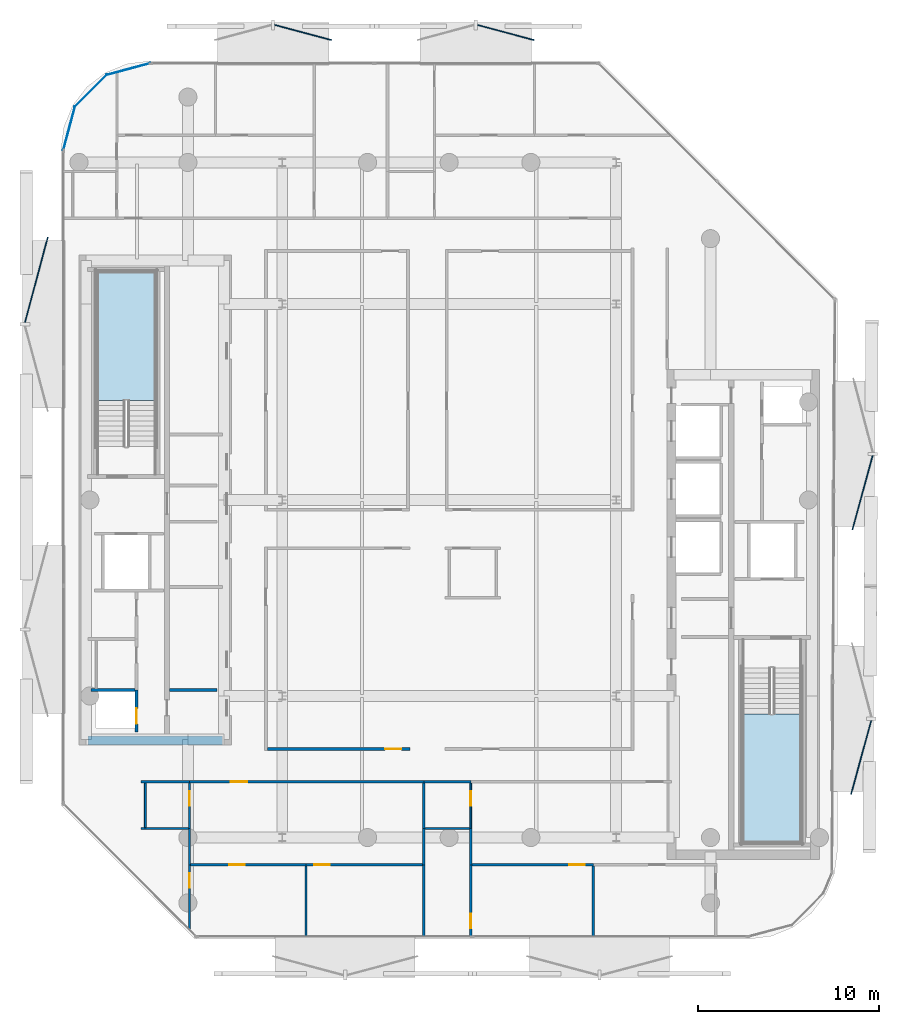
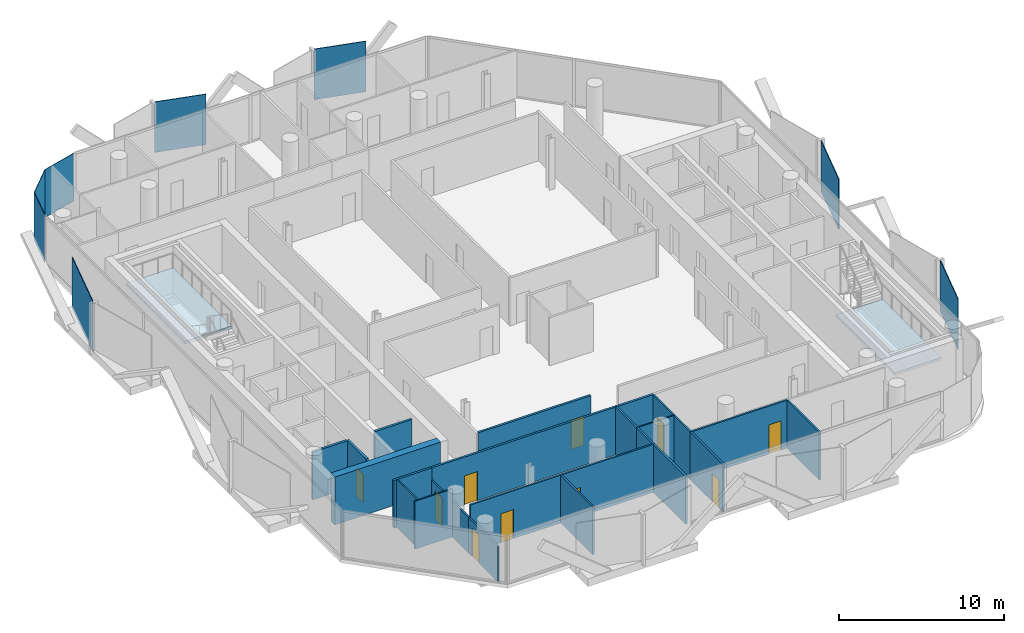
# One storey, part 4 of 16: 25 walls, 10 doors, 8 plates, 2 slabs, 10 openings, 2 elements without a shape of their own.
"""IFC4 building model written with IfcOpenShell, lengths in metres."""

from ifc_helpers import new_model, si_unit, direction, frame, frame_2d, origin, origin_2d, place, context, subcontext, project, spatial, polyline, rectangle, outline, extrude, material, layer, layer_set, type_object, element, fill, aggregate, save


model = new_model("IFC4")

# Units and contexts
model_context = context("Model", 3, precision=1e-05, world=origin(), true_north=direction((0.0, 1.0)))
body_context = subcontext(model_context, "Body", "Model", "MODEL_VIEW")
ifc_project = project(units=[si_unit("LENGTHUNIT", "METRE"), si_unit("AREAUNIT", "SQUARE_METRE"), si_unit("VOLUMEUNIT", "CUBIC_METRE"), si_unit("PLANEANGLEUNIT", "RADIAN"), si_unit("MASSUNIT", "GRAM", prefix="KILO")], contexts=[model_context])

# Site, building, storey
site_placement = place(None, origin())
site = spatial("IfcSite", under=ifc_project, at=site_placement, CompositionType="ELEMENT")
building_placement = place(site_placement, origin())
building = spatial("IfcBuilding", under=site, at=building_placement, Name="Khairoan Windgate Tower", CompositionType="ELEMENT")
storey_placement = place(building_placement, frame((0.0, 0.0, 296.60009765625)))
storey = spatial("IfcBuildingStorey", under=building, at=storey_placement, Name="L71", CompositionType="ELEMENT", Elevation=296.60009765625)

# Plates
ifc_material_1 = material(Name="Low-E Solar Control Laminated Glass", Category="glass")
ifc_layer_1 = layer(ifc_material_1, 0.030029296875, Name="Low-E Solar Control Laminated Glass")
ifc_layer_set_1 = layer_set([ifc_layer_1], Name="Low-E Solar Control Laminated Glass")
plate_type_1 = type_object("IfcPlateType", Name="Aerodynamic Wind-Corner Curved Glazing Plate", PredefinedType="USERDEFINED", material=ifc_layer_set_1)
plate_1_placement = place(storey_placement, frame((-20.940673828125, 20.485107421875, 0.0), z_axis=(0.0, 0.0, 1.0), x_axis=(0.258313252067, 0.966061211211, 0.0)))
element("IfcPlate", 1, at=plate_1_placement, inside=storey, type_object=plate_type_1, Name="L71 Aerodynamic Wind-Corner Curved Glazing Panel 4", ObjectType="GLAZING PANEL", PredefinedType="USERDEFINED", context=body_context, shape_type="SweptSolid", body=[
    extrude(rectangle(XDim=2.512451171875, YDim=0.035888671875, at=origin_2d()), origin(), (0.0, 0.0, 1.0), 3.5400390625),
])
plate_2_placement = place(storey_placement, frame((-19.750244140625, 22.55029296875, 0.0), z_axis=(0.0, 0.0, 1.0), x_axis=(0.707106781187, 0.707106781187, 0.0)))
element("IfcPlate", 2, at=plate_2_placement, inside=storey, type_object=plate_type_1, Name="L71 Aerodynamic Wind-Corner Curved Glazing Panel 5", ObjectType="GLAZING PANEL", PredefinedType="USERDEFINED", context=body_context, shape_type="SweptSolid", body=[
    extrude(rectangle(XDim=2.50341796875, YDim=0.035888671875, at=origin_2d()), origin(), (0.0, 0.0, 1.0), 3.5400390625),
])
plate_3_placement = place(storey_placement, frame((-17.68505859375, 23.740478515625, 0.0), z_axis=(0.0, 0.0, 1.0), x_axis=(0.966061211211, 0.258313252067, 0.0)))
element("IfcPlate", 3, at=plate_3_placement, inside=storey, type_object=plate_type_1, Name="L71 Aerodynamic Wind-Corner Curved Glazing Panel 6", ObjectType="GLAZING PANEL", PredefinedType="USERDEFINED", context=body_context, shape_type="SweptSolid", body=[
    extrude(rectangle(XDim=2.512451171875, YDim=0.035888671875, at=origin_2d()), origin(), (0.0, 0.0, 1.0), 3.5400390625),
])
ifc_material_2 = material(Name="Anodised Bronze Aluminium 6063-T6", Category="aluminium")
ifc_layer_2 = layer(ifc_material_2, 0.054931640625, Name="Anodised Bronze Aluminium 6063-T6")
ifc_layer_set_2 = layer_set([ifc_layer_2], Name="Anodised Bronze Aluminium 6063-T6")
plate_type_2 = type_object("IfcPlateType", Name="Perforated Bronze Solar Screen Upper Panel BSP-2", PredefinedType="USERDEFINED", material=ifc_layer_set_2)
plate_4_placement = place(storey_placement, frame((-22.748779296875, 12.1279296875, -0.10009765625), z_axis=(0.0, 0.0, 1.0), x_axis=(0.258819045103, 0.965925826289, 0.0)))
element("IfcPlate", 4, at=plate_4_placement, inside=storey, type_object=plate_type_2, Name="L71 Perforated Bronze Solar Screen Panel 497R", ObjectType="SCREEN", PredefinedType="USERDEFINED", context=body_context, shape_type="SweptSolid", body=[
    extrude(rectangle(XDim=4.876953125, YDim=0.054931640625, at=origin_2d()), origin(), (0.0, 0.0, 1.0), 3.739990234375),
])
for number, where, z_axis, x_axis, name in (
    (5, (-8.0537109375, 25.760986328125, -0.10009765625), (0.0, 0.0, 1.0), (0.965925826289, -0.258819045103, 0.0), "L71 Perforated Bronze Solar Screen Panel 498R"),
    (6, (3.112548828125, 25.760986328125, -0.10009765625), (0.0, 0.0, 1.0), (0.965925826289, -0.258819045103, 0.0), "L71 Perforated Bronze Solar Screen Panel 499R"),
):
    element("IfcPlate", number, at=place(storey_placement, frame(where, z_axis=z_axis, x_axis=x_axis)), inside=storey, type_object=plate_type_2, Name=name, ObjectType="SCREEN", PredefinedType="USERDEFINED", context=body_context, shape_type="SweptSolid", body=[
        extrude(rectangle(XDim=3.238037109375, YDim=0.054931640625, at=origin_2d()), origin(), (0.0, 0.0, 1.0), 3.739990234375),
    ])
for number, where, z_axis, x_axis, name in (
    (7, (22.777587890625, 0.407470703125, -0.10009765625), (0.0, 0.0, 1.0), (-0.263873049965, -0.964557418458, 0.0), "L71 Perforated Bronze Solar Screen Panel 500R"),
    (8, (22.7021484375, -14.17919921875, -0.10009765625), (0.0, 0.0, 1.0), (-0.263873049965, -0.964557418458, 0.0), "L71 Perforated Bronze Solar Screen Panel 501R"),
):
    element("IfcPlate", number, at=place(storey_placement, frame(where, z_axis=z_axis, x_axis=x_axis)), inside=storey, type_object=plate_type_2, Name=name, ObjectType="SCREEN", PredefinedType="USERDEFINED", context=body_context, shape_type="SweptSolid", body=[
        extrude(rectangle(XDim=4.22998046875, YDim=0.054931640625, at=origin_2d()), origin(), (0.0, 0.0, 1.0), 3.739990234375),
    ])

# Stair, slab
ifc_material_3 = material(Name="Concrete C40/50", Category="concrete")
stair_type = type_object("IfcStairType", Name="Tower Core Dog-Leg Stair ST-T1 1560mm", PredefinedType="HALF_TURN_STAIR", material=ifc_material_3)
stair_1_placement = place(storey_placement, origin())
stair_1 = element("IfcStair", 9, at=stair_1_placement, inside=storey, type_object=stair_type, Name="L71 Stair ST1", PredefinedType="HALF_TURN_STAIR")
ifc_material_4 = material(Name="Concrete C40/50", Category="concrete")
ifc_layer_3 = layer(ifc_material_4, 0.199951171875, Name="Concrete C40/50")
ifc_layer_set_3 = layer_set([ifc_layer_3], Name="Concrete C40/50")
slab_type = type_object("IfcSlabType", Name="Reinforced Concrete Stair Landing Slab STL-200", PredefinedType="LANDING", material=ifc_layer_set_3)
slab_1_placement = place(storey_placement, frame((0.0, 0.0, 1.699951171875)))
slab_1 = element("IfcSlab", 10, at=slab_1_placement, type_object=slab_type, Name="ST1 landing 1", PredefinedType="LANDING", context=body_context, shape_type="SweptSolid", body=[
    extrude(outline(polyline([(16.14990234375, -11.780029296875), (16.14990234375, -18.89990234375), (19.419921875, -18.89990234375), (19.419921875, -11.780029296875), (16.14990234375, -11.780029296875)])), origin(), (0.0, 0.0, 1.0), 0.199951171875),
])
aggregate(stair_1, [slab_1])

stair_2_placement = place(storey_placement, origin())
stair_2 = element("IfcStair", 11, at=stair_2_placement, inside=storey, type_object=stair_type, Name="L71 Stair ST2", PredefinedType="HALF_TURN_STAIR")
slab_2_placement = place(storey_placement, frame((0.0, 0.0, 1.699951171875)))
slab_2 = element("IfcSlab", 12, at=slab_2_placement, type_object=slab_type, Name="ST2 landing 1", PredefinedType="LANDING", context=body_context, shape_type="SweptSolid", body=[
    extrude(outline(polyline([(-16.14990234375, 5.47998046875), (-16.14990234375, 12.60009765625), (-19.419921875, 12.60009765625), (-19.419921875, 5.47998046875), (-16.14990234375, 5.47998046875)])), origin(), (0.0, 0.0, 1.0), 0.199951171875),
])
aggregate(stair_2, [slab_2])

# Wall
ifc_material_5 = material(Name="Moisture-Resistant Gypsum Partition", Category="gypsum")
ifc_layer_4 = layer(ifc_material_5, 0.10009765625, Name="Moisture-Resistant Gypsum Partition")
ifc_layer_set_4 = layer_set([ifc_layer_4], Name="Moisture-Resistant Gypsum Partition")
wall_type_1 = type_object("IfcWallType", Name="Bathroom Wet-Area Partition Wall", PredefinedType="PARTITIONING", material=ifc_layer_set_4)
wall_1_placement = place(storey_placement, frame((-16.97998046875, -18.10009765625, 0.0), z_axis=(0.0, 0.0, 1.0), x_axis=(1.0, 0.0, 0.0)))
element("IfcWall", 13, at=wall_1_placement, inside=storey, type_object=wall_type_1, Name="L71 Interior Partition 053", PredefinedType="PARTITIONING", context=body_context, shape_type="SweptSolid", body=[
    extrude(rectangle(XDim=2.619873046875, YDim=0.10009765625, at=frame_2d((1.31005859375, 0.0))), origin(), (0.0, 0.0, 1.0), 3.539794921875),
])

# Wall, opening, door
wall_2_placement = place(storey_placement, frame((-14.31005859375, -18.10009765625, 0.0), z_axis=(0.0, 0.0, 1.0), x_axis=(0.0, 1.0, 0.0)))
wall_2 = element("IfcWall", 14, at=wall_2_placement, inside=storey, type_object=wall_type_1, Name="L71 Interior Partition 054", PredefinedType="PARTITIONING", context=body_context, shape_type="SweptSolid", body=[
    extrude(rectangle(XDim=2.5, YDim=0.10009765625, at=frame_2d((1.25, 0.0))), origin(), (0.0, 0.0, 1.0), 2.639892578125),
])
opening_1_placement = place(wall_2_placement, frame((1.239990234375, 0.0, 0.0)))
opening_1 = element("IfcOpeningElement", 15, at=opening_1_placement, cuts=wall_2, Name="Opening ID-BTH", PredefinedType="OPENING", context=body_context, shape_type="SweptSolid", body=[
    extrude(rectangle(XDim=0.800048828125, YDim=2.10009765625, at=frame_2d((0.39990234375, 1.050048828125))), frame((0.0, 0.06005859375, 0.0), z_axis=(0.0, -1.0, 0.0), x_axis=(1.0, 0.0, 0.0)), (0.0, 0.0, 1.0), 0.1201171875),
])
ifc_material_6 = material(Name="Teak Veneer Timber Leaf", Category="wood")
door_type_1 = type_object("IfcDoorType", Name="Internal Bathroom Door ID-BTH 800x2100", OperationType="NOTDEFINED", PredefinedType="DOOR", material=ifc_material_6)
door_1_placement = place(opening_1_placement, origin())
door_1 = element("IfcDoor", 16, at=door_1_placement, inside=storey, type_object=door_type_1, Name="L71 L71-43-L71-45 Door", OperationType="SINGLE_SWING_RIGHT", OverallHeight=2.10009765625, OverallWidth=0.800048828125, PredefinedType="DOOR", context=body_context, shape_type="SweptSolid", body=[
    extrude(rectangle(XDim=0.800048828125, YDim=2.10009765625, at=frame_2d((0.39990234375, 1.050048828125))), frame((0.0, 0.02490234375, 0.0), z_axis=(0.0, -1.0, 0.0), x_axis=(1.0, 0.0, 0.0)), (0.0, 0.0, 1.0), 0.050048828125),
])
fill(opening_1, door_1)

# Wall
wall_3_placement = place(storey_placement, frame((-1.330078125, -18.10009765625, 0.0), z_axis=(0.0, 0.0, 1.0), x_axis=(1.0, 0.0, 0.0)))
element("IfcWall", 17, at=wall_3_placement, inside=storey, type_object=wall_type_1, Name="L71 Interior Partition 063", PredefinedType="PARTITIONING", context=body_context, shape_type="SweptSolid", body=[
    extrude(rectangle(XDim=2.469970703125, YDim=0.10009765625, at=frame_2d((1.23486328125, 0.0))), origin(), (0.0, 0.0, 1.0), 3.539794921875),
])

# Wall, opening, door
wall_4_placement = place(storey_placement, frame((1.18994140625, -18.10009765625, 0.0), z_axis=(0.0, 0.0, 1.0), x_axis=(0.0, 1.0, 0.0)))
wall_4 = element("IfcWall", 18, at=wall_4_placement, inside=storey, type_object=wall_type_1, Name="L71 Interior Partition 064", PredefinedType="PARTITIONING", context=body_context, shape_type="SweptSolid", body=[
    extrude(rectangle(XDim=2.5, YDim=0.10009765625, at=frame_2d((1.25, 0.0))), origin(), (0.0, 0.0, 1.0), 3.539794921875),
])
opening_2_placement = place(wall_4_placement, frame((1.239990234375, 0.0, 0.0)))
opening_2 = element("IfcOpeningElement", 19, at=opening_2_placement, cuts=wall_4, Name="Opening ID-BTH", PredefinedType="OPENING", context=body_context, shape_type="SweptSolid", body=[
    extrude(rectangle(XDim=0.800048828125, YDim=2.10009765625, at=frame_2d((0.39990234375, 1.050048828125))), frame((0.0, 0.06005859375, 0.0), z_axis=(0.0, -1.0, 0.0), x_axis=(1.0, 0.0, 0.0)), (0.0, 0.0, 1.0), 0.1201171875),
])
door_2_placement = place(opening_2_placement, origin())
door_2 = element("IfcDoor", 20, at=door_2_placement, inside=storey, type_object=door_type_1, Name="L71 L71-48-L71-50 Door", OperationType="SINGLE_SWING_RIGHT", OverallHeight=2.10009765625, OverallWidth=0.800048828125, PredefinedType="DOOR", context=body_context, shape_type="SweptSolid", body=[
    extrude(rectangle(XDim=0.800048828125, YDim=2.10009765625, at=frame_2d((0.39990234375, 1.050048828125))), frame((0.0, 0.02490234375, 0.0), z_axis=(0.0, -1.0, 0.0), x_axis=(1.0, 0.0, 0.0)), (0.0, 0.0, 1.0), 0.050048828125),
])
fill(opening_2, door_2)

# Walls
wall_5_placement = place(storey_placement, frame((-16.739990234375, -18.050048828125, 0.0), z_axis=(0.0, 0.0, 1.0), x_axis=(0.0, 1.0, 0.0)))
element("IfcWall", 21, at=wall_5_placement, inside=storey, type_object=wall_type_1, Name="L71 Wet Room Side Wall 074", PredefinedType="PARTITIONING", context=body_context, shape_type="SweptSolid", body=[
    extrude(rectangle(XDim=2.449951171875, YDim=0.10009765625, at=frame_2d((1.22509765625, 0.0))), origin(), (0.0, 0.0, 1.0), 3.539794921875),
])
ifc_material_7 = material(Name="Concrete C40/50", Category="concrete")
ifc_layer_5 = layer(ifc_material_7, 0.159912109375, Name="Concrete C40/50")
ifc_layer_set_5 = layer_set([ifc_layer_5], Name="Concrete C40/50")
wall_type_2 = type_object("IfcWallType", Name="Core and Hoistway Enclosure Wall", PredefinedType="STANDARD", material=ifc_layer_set_5)
wall_6_placement = place(storey_placement, frame((-15.39990234375, -10.47998046875, 0.0), z_axis=(0.0, 0.0, 1.0), x_axis=(1.0, 0.0, 0.0)))
element("IfcWall", 22, at=wall_6_placement, inside=storey, type_object=wall_type_2, Name="L71 Core Shaft Wall SW-WSV-L71", PredefinedType="STANDARD", context=body_context, shape_type="SweptSolid", body=[
    extrude(rectangle(XDim=2.599853515625, YDim=0.159912109375, at=frame_2d((1.2998046875, 0.0))), origin(), (0.0, 0.0, 1.0), 3.539794921875),
])
ifc_material_8 = material(Name="Acoustic Fire-Rated Gypsum Partition", Category="gypsum")
ifc_layer_6 = layer(ifc_material_8, 0.139892578125, Name="Acoustic Fire-Rated Gypsum Partition")
ifc_layer_set_6 = layer_set([ifc_layer_6], Name="Acoustic Fire-Rated Gypsum Partition")
wall_type_3 = type_object("IfcWallType", Name="Inter-Tenancy Compartment Wall", PredefinedType="PARTITIONING", material=ifc_layer_set_6)
wall_7_placement = place(storey_placement, frame((-1.39990234375, -18.10009765625, 0.0), z_axis=(0.0, 0.0, 1.0), x_axis=(0.0, 1.0, 0.0)))
element("IfcWall", 23, at=wall_7_placement, inside=storey, type_object=wall_type_3, Name="L71 Interior Partition 059", PredefinedType="PARTITIONING", context=body_context, shape_type="SweptSolid", body=[
    extrude(rectangle(XDim=2.5, YDim=0.139892578125, at=frame_2d((1.25, 0.0))), origin(), (0.0, 0.0, 1.0), 3.539794921875),
])
wall_8_placement = place(storey_placement, frame((-1.39990234375, -20.10009765625, 0.0), z_axis=(0.0, 0.0, 1.0), x_axis=(0.0, 1.0, 0.0)))
element("IfcWall", 24, at=wall_8_placement, inside=storey, type_object=wall_type_3, Name="L71 Interior Partition 060", PredefinedType="PARTITIONING", context=body_context, shape_type="SweptSolid", body=[
    extrude(rectangle(XDim=2.0, YDim=0.139892578125, at=frame_2d((1.0, 0.0))), origin(), (0.0, 0.0, 1.0), 3.539794921875),
])
wall_9_placement = place(storey_placement, frame((-1.39990234375, -24.054931640625, 0.0), z_axis=(0.0, 0.0, 1.0), x_axis=(0.0, 1.0, 0.0)))
element("IfcWall", 25, at=wall_9_placement, inside=storey, type_object=wall_type_3, Name="L71 Interior Partition 062", PredefinedType="PARTITIONING", context=body_context, shape_type="SweptSolid", body=[
    extrude(rectangle(XDim=3.954833984375, YDim=0.139892578125, at=frame_2d((1.9775390625, 0.0))), origin(), (0.0, 0.0, 1.0), 3.539794921875),
])
ifc_material_9 = material(Name="Gypsum Stud Partition", Category="gypsum")
ifc_layer_7 = layer(ifc_material_9, 0.1201171875, Name="Gypsum Stud Partition")
ifc_layer_set_7 = layer_set([ifc_layer_7], Name="Gypsum Stud Partition")
wall_type_4 = type_object("IfcWallType", Name="Internal Room Partition Wall", PredefinedType="PARTITIONING", material=ifc_layer_set_7)
wall_10_placement = place(storey_placement, frame((-14.31005859375, -20.10009765625, 0.0), z_axis=(0.0, 0.0, 1.0), x_axis=(0.0, 1.0, 0.0)))
element("IfcWall", 26, at=wall_10_placement, inside=storey, type_object=wall_type_4, Name="L71 Interior Partition 055", PredefinedType="PARTITIONING", context=body_context, shape_type="SweptSolid", body=[
    extrude(rectangle(XDim=2.0, YDim=0.1201171875, at=frame_2d((1.0, 0.0))), origin(), (0.0, 0.0, 1.0), 2.639892578125),
])

# Wall, opening, door
wall_11_placement = place(storey_placement, frame((-14.31005859375, -23.68701171875, 0.0), z_axis=(0.0, 0.0, 1.0), x_axis=(0.0, 1.0, 0.0)))
wall_11 = element("IfcWall", 27, at=wall_11_placement, inside=storey, type_object=wall_type_4, Name="L71 Interior Partition 056", PredefinedType="PARTITIONING", context=body_context, shape_type="SweptSolid", body=[
    extrude(rectangle(XDim=3.5869140625, YDim=0.1201171875, at=frame_2d((1.79345703125, 0.0))), origin(), (0.0, 0.0, 1.0), 2.639892578125),
])
opening_3_placement = place(wall_11_placement, frame((2.326904296875, 0.0, 0.0)))
opening_3 = element("IfcOpeningElement", 28, at=opening_3_placement, cuts=wall_11, Name="Opening ID-BTH", PredefinedType="OPENING", context=body_context, shape_type="SweptSolid", body=[
    extrude(rectangle(XDim=0.800048828125, YDim=2.10009765625, at=frame_2d((0.39990234375, 1.050048828125))), frame((0.0, 0.070068359375, 0.0), z_axis=(0.0, -1.0, 0.0), x_axis=(1.0, 0.0, 0.0)), (0.0, 0.0, 1.0), 0.14013671875),
])
door_3_placement = place(opening_3_placement, origin())
door_3 = element("IfcDoor", 29, at=door_3_placement, inside=storey, type_object=door_type_1, Name="L71 L71-44-L71-46 Door", OperationType="SINGLE_SWING_LEFT", OverallHeight=2.10009765625, OverallWidth=0.800048828125, PredefinedType="DOOR", context=body_context, shape_type="SweptSolid", body=[
    extrude(rectangle(XDim=0.800048828125, YDim=2.10009765625, at=frame_2d((0.39990234375, 1.050048828125))), frame((0.0, 0.02490234375, 0.0), z_axis=(0.0, -1.0, 0.0), x_axis=(1.0, 0.0, 0.0)), (0.0, 0.0, 1.0), 0.050048828125),
])
fill(opening_3, door_3)

wall_12_placement = place(storey_placement, frame((-14.25, -20.10009765625, 0.0), z_axis=(0.0, 0.0, 1.0), x_axis=(1.0, 0.0, 0.0)))
wall_12 = element("IfcWall", 30, at=wall_12_placement, inside=storey, type_object=wall_type_4, Name="L71 Interior Partition 057", PredefinedType="PARTITIONING", context=body_context, shape_type="SweptSolid", body=[
    extrude(rectangle(XDim=6.35498046875, YDim=0.1201171875, at=frame_2d((3.177490234375, 0.0))), origin(), (0.0, 0.0, 1.0), 3.539794921875),
])
opening_4_placement = place(wall_12_placement, frame((2.12353515625, 0.0, 0.0)))
opening_4 = element("IfcOpeningElement", 31, at=opening_4_placement, cuts=wall_12, Name="Opening ID-RM", PredefinedType="OPENING", context=body_context, shape_type="SweptSolid", body=[
    extrude(rectangle(XDim=0.860107421875, YDim=2.14990234375, at=frame_2d((0.43017578125, 1.074951171875))), frame((0.0, 0.070068359375, 0.0), z_axis=(0.0, -1.0, 0.0), x_axis=(1.0, 0.0, 0.0)), (0.0, 0.0, 1.0), 0.14013671875),
])
ifc_material_10 = material(Name="Teak Veneer Timber Leaf", Category="wood")
door_type_2 = type_object("IfcDoorType", Name="Internal Bedroom and Office Door ID-RM 860x2150", OperationType="NOTDEFINED", PredefinedType="DOOR", material=ifc_material_10)
door_4_placement = place(opening_4_placement, origin())
door_4 = element("IfcDoor", 32, at=door_4_placement, inside=storey, type_object=door_type_2, Name="L71 L71-45-L71-46 Door", OperationType="SINGLE_SWING_RIGHT", OverallHeight=2.14990234375, OverallWidth=0.860107421875, PredefinedType="DOOR", context=body_context, shape_type="SweptSolid", body=[
    extrude(rectangle(XDim=0.860107421875, YDim=2.14990234375, at=frame_2d((0.43017578125, 1.074951171875))), frame((0.0, 0.02490234375, 0.0), z_axis=(0.0, -1.0, 0.0), x_axis=(1.0, 0.0, 0.0)), (0.0, 0.0, 1.0), 0.050048828125),
])
fill(opening_4, door_4)

wall_13_placement = place(storey_placement, frame((-7.89501953125, -20.10009765625, 0.0), z_axis=(0.0, 0.0, 1.0), x_axis=(1.0, 0.0, 0.0)))
wall_13 = element("IfcWall", 33, at=wall_13_placement, inside=storey, type_object=wall_type_4, Name="L71 Interior Partition 058", PredefinedType="PARTITIONING", context=body_context, shape_type="SweptSolid", body=[
    extrude(rectangle(XDim=6.425048828125, YDim=0.1201171875, at=frame_2d((3.21240234375, 0.0))), origin(), (0.0, 0.0, 1.0), 3.539794921875),
])
opening_5_placement = place(wall_13_placement, frame((0.4599609375, 0.0, 0.0)))
opening_5 = element("IfcOpeningElement", 34, at=opening_5_placement, cuts=wall_13, Name="Opening ID-RM", PredefinedType="OPENING", context=body_context, shape_type="SweptSolid", body=[
    extrude(rectangle(XDim=0.860107421875, YDim=2.14990234375, at=frame_2d((0.43017578125, 1.074951171875))), frame((0.0, 0.070068359375, 0.0), z_axis=(0.0, -1.0, 0.0), x_axis=(1.0, 0.0, 0.0)), (0.0, 0.0, 1.0), 0.14013671875),
])
door_5_placement = place(opening_5_placement, origin())
door_5 = element("IfcDoor", 35, at=door_5_placement, inside=storey, type_object=door_type_2, Name="L71 L71-45-L71-47 Door", OperationType="SINGLE_SWING_LEFT", OverallHeight=2.14990234375, OverallWidth=0.860107421875, PredefinedType="DOOR", context=body_context, shape_type="SweptSolid", body=[
    extrude(rectangle(XDim=0.860107421875, YDim=2.14990234375, at=frame_2d((0.43017578125, 1.074951171875))), frame((0.0, 0.02490234375, 0.0), z_axis=(0.0, -1.0, 0.0), x_axis=(1.0, 0.0, 0.0)), (0.0, 0.0, 1.0), 0.050048828125),
])
fill(opening_5, door_5)

# Walls
wall_14_placement = place(storey_placement, frame((-7.89501953125, -24.054931640625, 0.0), z_axis=(0.0, 0.0, 1.0), x_axis=(0.0, 1.0, 0.0)))
element("IfcWall", 36, at=wall_14_placement, inside=storey, type_object=wall_type_4, Name="L71 Interior Partition 061", PredefinedType="PARTITIONING", context=body_context, shape_type="SweptSolid", body=[
    extrude(rectangle(XDim=3.89501953125, YDim=0.1201171875, at=frame_2d((1.947509765625, 0.0))), origin(), (0.0, 0.0, 1.0), 3.539794921875),
])
wall_15_placement = place(storey_placement, frame((1.18994140625, -20.10009765625, 0.0), z_axis=(0.0, 0.0, 1.0), x_axis=(0.0, 1.0, 0.0)))
element("IfcWall", 37, at=wall_15_placement, inside=storey, type_object=wall_type_4, Name="L71 Interior Partition 065", PredefinedType="PARTITIONING", context=body_context, shape_type="SweptSolid", body=[
    extrude(rectangle(XDim=2.0, YDim=0.1201171875, at=frame_2d((1.0, 0.0))), origin(), (0.0, 0.0, 1.0), 3.539794921875),
])

# Wall, opening, door
wall_16_placement = place(storey_placement, frame((1.18994140625, -24.054931640625, 0.0), z_axis=(0.0, 0.0, 1.0), x_axis=(0.0, 1.0, 0.0)))
wall_16 = element("IfcWall", 38, at=wall_16_placement, inside=storey, type_object=wall_type_4, Name="L71 Interior Partition 066", PredefinedType="PARTITIONING", context=body_context, shape_type="SweptSolid", body=[
    extrude(rectangle(XDim=3.954833984375, YDim=0.1201171875, at=frame_2d((1.9775390625, 0.0))), origin(), (0.0, 0.0, 1.0), 3.539794921875),
])
opening_6_placement = place(wall_16_placement, frame((0.4599609375, 0.0, 0.0)))
opening_6 = element("IfcOpeningElement", 39, at=opening_6_placement, cuts=wall_16, Name="Opening ID-BTH", PredefinedType="OPENING", context=body_context, shape_type="SweptSolid", body=[
    extrude(rectangle(XDim=0.800048828125, YDim=2.10009765625, at=frame_2d((0.39990234375, 1.050048828125))), frame((0.0, 0.070068359375, 0.0), z_axis=(0.0, -1.0, 0.0), x_axis=(1.0, 0.0, 0.0)), (0.0, 0.0, 1.0), 0.14013671875),
])
door_6_placement = place(opening_6_placement, origin())
door_6 = element("IfcDoor", 40, at=door_6_placement, inside=storey, type_object=door_type_1, Name="L71 L71-49-L71-52 Door", OperationType="SINGLE_SWING_LEFT", OverallHeight=2.10009765625, OverallWidth=0.800048828125, PredefinedType="DOOR", context=body_context, shape_type="SweptSolid", body=[
    extrude(rectangle(XDim=0.800048828125, YDim=2.10009765625, at=frame_2d((0.39990234375, 1.050048828125))), frame((0.0, 0.02490234375, 0.0), z_axis=(0.0, -1.0, 0.0), x_axis=(1.0, 0.0, 0.0)), (0.0, 0.0, 1.0), 0.050048828125),
])
fill(opening_6, door_6)

wall_17_placement = place(storey_placement, frame((1.25, -20.10009765625, 0.0), z_axis=(0.0, 0.0, 1.0), x_axis=(1.0, 0.0, 0.0)))
wall_17 = element("IfcWall", 41, at=wall_17_placement, inside=storey, type_object=wall_type_4, Name="L71 Interior Partition 067", PredefinedType="PARTITIONING", context=body_context, shape_type="SweptSolid", body=[
    extrude(rectangle(XDim=6.68994140625, YDim=0.1201171875, at=frame_2d((3.344970703125, 0.0))), origin(), (0.0, 0.0, 1.0), 3.539794921875),
])
opening_7_placement = place(wall_17_placement, frame((5.3701171875, 0.0, 0.0)))
opening_7 = element("IfcOpeningElement", 42, at=opening_7_placement, cuts=wall_17, Name="Opening ID-RM", PredefinedType="OPENING", context=body_context, shape_type="SweptSolid", body=[
    extrude(rectangle(XDim=0.860107421875, YDim=2.14990234375, at=frame_2d((0.43017578125, 1.074951171875))), frame((0.0, 0.070068359375, 0.0), z_axis=(0.0, -1.0, 0.0), x_axis=(1.0, 0.0, 0.0)), (0.0, 0.0, 1.0), 0.14013671875),
])
door_7_placement = place(opening_7_placement, origin())
door_7 = element("IfcDoor", 43, at=door_7_placement, inside=storey, type_object=door_type_2, Name="L71 L71-50-L71-52 Door", OperationType="SINGLE_SWING_RIGHT", OverallHeight=2.14990234375, OverallWidth=0.860107421875, PredefinedType="DOOR", context=body_context, shape_type="SweptSolid", body=[
    extrude(rectangle(XDim=0.860107421875, YDim=2.14990234375, at=frame_2d((0.43017578125, 1.074951171875))), frame((0.0, 0.02490234375, 0.0), z_axis=(0.0, -1.0, 0.0), x_axis=(1.0, 0.0, 0.0)), (0.0, 0.0, 1.0), 0.050048828125),
])
fill(opening_7, door_7)

# Wall
wall_18_placement = place(storey_placement, frame((7.93994140625, -24.054931640625, 0.0), z_axis=(0.0, 0.0, 1.0), x_axis=(0.0, 1.0, 0.0)))
element("IfcWall", 44, at=wall_18_placement, inside=storey, type_object=wall_type_4, Name="L71 Interior Partition 070", PredefinedType="PARTITIONING", context=body_context, shape_type="SweptSolid", body=[
    extrude(rectangle(XDim=3.89501953125, YDim=0.1201171875, at=frame_2d((1.947509765625, 0.0))), origin(), (0.0, 0.0, 1.0), 3.539794921875),
])

# Wall, opening, door
ifc_material_11 = material(Name="Concrete C40/50", Category="concrete")
ifc_layer_8 = layer(ifc_material_11, 0.159912109375, Name="Concrete C40/50")
ifc_layer_set_8 = layer_set([ifc_layer_8], Name="Concrete C40/50")
wall_type_5 = type_object("IfcWallType", Name="Plant and Refuge Compartment Wall", PredefinedType="PARTITIONING", material=ifc_layer_set_8)
wall_19_placement = place(storey_placement, frame((-17.22998046875, -12.7900390625, 0.0), z_axis=(0.0, 0.0, 1.0), x_axis=(0.0, 1.0, 0.0)))
wall_19 = element("IfcWall", 45, at=wall_19_placement, inside=storey, type_object=wall_type_5, Name="L71 Interior Partition 001", PredefinedType="PARTITIONING", context=body_context, shape_type="SweptSolid", body=[
    extrude(rectangle(XDim=2.320068359375, YDim=0.159912109375, at=frame_2d((1.16015625, 0.0))), origin(), (0.0, 0.0, 1.0), 3.539794921875),
])
opening_8_placement = place(wall_19_placement, frame((0.4599609375, 0.0, 0.0)))
opening_8 = element("IfcOpeningElement", 46, at=opening_8_placement, cuts=wall_19, Name="Opening FD-SRV", PredefinedType="OPENING", context=body_context, shape_type="SweptSolid", body=[
    extrude(rectangle(XDim=0.85009765625, YDim=2.10009765625, at=frame_2d((0.425048828125, 1.050048828125))), frame((0.0, 0.08984375, 0.0), z_axis=(0.0, -1.0, 0.0), x_axis=(1.0, 0.0, 0.0)), (0.0, 0.0, 1.0), 0.179931640625),
])
ifc_material_12 = material(Name="Steel S355", Category="steel")
door_type_3 = type_object("IfcDoorType", Name="Core Service and Riser Fire Door FD-SRV 850x2100", OperationType="NOTDEFINED", PredefinedType="DOOR", material=ifc_material_12)
door_8_placement = place(opening_8_placement, origin())
door_8 = element("IfcDoor", 47, at=door_8_placement, inside=storey, type_object=door_type_3, Name="L71 L71-04-L71-05 Door", OperationType="SINGLE_SWING_LEFT", OverallHeight=2.10009765625, OverallWidth=0.85009765625, PredefinedType="DOOR", context=body_context, shape_type="SweptSolid", body=[
    extrude(rectangle(XDim=0.85009765625, YDim=2.10009765625, at=frame_2d((0.425048828125, 1.050048828125))), frame((0.0, 0.02490234375, 0.0), z_axis=(0.0, -1.0, 0.0), x_axis=(1.0, 0.0, 0.0)), (0.0, 0.0, 1.0), 0.050048828125),
])
fill(opening_8, door_8)

# Walls
wall_20_placement = place(storey_placement, frame((-19.75, -10.469970703125, 0.0), z_axis=(0.0, 0.0, 1.0), x_axis=(1.0, 0.0, 0.0)))
element("IfcWall", 48, at=wall_20_placement, inside=storey, type_object=wall_type_5, Name="L71 Interior Partition 004", PredefinedType="PARTITIONING", context=body_context, shape_type="SweptSolid", body=[
    extrude(rectangle(XDim=2.43994140625, YDim=0.159912109375, at=frame_2d((1.219970703125, 0.0))), origin(), (0.0, 0.0, 1.0), 3.539794921875),
])
ifc_material_13 = material(Name="Acoustic Fire-Rated Gypsum Partition", Category="gypsum")
ifc_layer_9 = layer(ifc_material_13, 0.14990234375, Name="Acoustic Fire-Rated Gypsum Partition")
ifc_layer_set_9 = layer_set([ifc_layer_9], Name="Acoustic Fire-Rated Gypsum Partition")
wall_type_6 = type_object("IfcWallType", Name="Rated Corridor Partition Wall", PredefinedType="PARTITIONING", material=ifc_layer_set_9)
wall_21_placement = place(storey_placement, frame((-16.97998046875, -15.52490234375, 0.0), z_axis=(0.0, 0.0, 1.0), x_axis=(1.0, 0.0, 0.0)))
element("IfcWall", 49, at=wall_21_placement, inside=storey, type_object=wall_type_6, Name="L71 Interior Partition 029", PredefinedType="PARTITIONING", context=body_context, shape_type="SweptSolid", body=[
    extrude(rectangle(XDim=2.669921875, YDim=0.14990234375, at=frame_2d((1.3349609375, 0.0))), origin(), (0.0, 0.0, 1.0), 3.539794921875),
])

# Wall, opening, door
wall_22_placement = place(storey_placement, frame((-14.31005859375, -15.52490234375, 0.0), z_axis=(0.0, 0.0, 1.0), x_axis=(1.0, 0.0, 0.0)))
wall_22 = element("IfcWall", 50, at=wall_22_placement, inside=storey, type_object=wall_type_6, Name="L71 Interior Partition 030", PredefinedType="PARTITIONING", context=body_context, shape_type="SweptSolid", body=[
    extrude(rectangle(XDim=12.91015625, YDim=0.14990234375, at=frame_2d((6.455078125, 0.0))), origin(), (0.0, 0.0, 1.0), 3.539794921875),
])
opening_9_placement = place(wall_22_placement, frame((2.274658203125, 0.0, 0.0)))
opening_9 = element("IfcOpeningElement", 51, at=opening_9_placement, cuts=wall_22, Name="Opening FD-ENT", PredefinedType="OPENING", context=body_context, shape_type="SweptSolid", body=[
    extrude(rectangle(XDim=0.89990234375, YDim=2.14990234375, at=frame_2d((0.449951171875, 1.074951171875))), frame((0.0, 0.0849609375, 0.0), z_axis=(0.0, -1.0, 0.0), x_axis=(1.0, 0.0, 0.0)), (0.0, 0.0, 1.0), 0.169921875),
])
ifc_material_14 = material(Name="Timber Fire-Rated Core", Category="wood")
door_type_4 = type_object("IfcDoorType", Name="Unit and Office Fire Entrance Door FD-ENT 900x2150", OperationType="NOTDEFINED", PredefinedType="DOOR", material=ifc_material_14)
door_9_placement = place(opening_9_placement, origin())
door_9 = element("IfcDoor", 52, at=door_9_placement, inside=storey, type_object=door_type_4, Name="L71 L71-31-L71-45 Door", OperationType="SINGLE_SWING_LEFT", OverallHeight=2.14990234375, OverallWidth=0.89990234375, PredefinedType="DOOR", context=body_context, shape_type="SweptSolid", body=[
    extrude(rectangle(XDim=0.89990234375, YDim=2.14990234375, at=frame_2d((0.449951171875, 1.074951171875))), frame((0.0, 0.02490234375, 0.0), z_axis=(0.0, -1.0, 0.0), x_axis=(1.0, 0.0, 0.0)), (0.0, 0.0, 1.0), 0.050048828125),
])
fill(opening_9, door_9)

# Wall
wall_23_placement = place(storey_placement, frame((-1.39990234375, -15.52490234375, 0.0), z_axis=(0.0, 0.0, 1.0), x_axis=(1.0, 0.0, 0.0)))
element("IfcWall", 53, at=wall_23_placement, inside=storey, type_object=wall_type_6, Name="L71 Interior Partition 031", PredefinedType="PARTITIONING", context=body_context, shape_type="SweptSolid", body=[
    extrude(rectangle(XDim=2.58984375, YDim=0.14990234375, at=frame_2d((1.294921875, 0.0))), origin(), (0.0, 0.0, 1.0), 3.539794921875),
])

# Wall, opening, door
wall_24_placement = place(storey_placement, frame((-10.02490234375, -13.719970703125, 0.0), z_axis=(0.0, 0.0, 1.0), x_axis=(1.0, 0.0, 0.0)))
wall_24 = element("IfcWall", 54, at=wall_24_placement, inside=storey, type_object=wall_type_6, Name="L71 Interior Partition 033", PredefinedType="PARTITIONING", context=body_context, shape_type="SweptSolid", body=[
    extrude(rectangle(XDim=7.85498046875, YDim=0.14990234375, at=frame_2d((3.927490234375, 0.0))), origin(), (0.0, 0.0, 1.0), 3.539794921875),
])
opening_10_placement = place(wall_24_placement, frame((6.4951171875, 0.0, 0.0)))
opening_10 = element("IfcOpeningElement", 55, at=opening_10_placement, cuts=wall_24, Name="Opening FD-ENT", PredefinedType="OPENING", context=body_context, shape_type="SweptSolid", body=[
    extrude(rectangle(XDim=0.89990234375, YDim=2.14990234375, at=frame_2d((0.449951171875, 1.074951171875))), frame((0.0, 0.0849609375, 0.0), z_axis=(0.0, -1.0, 0.0), x_axis=(1.0, 0.0, 0.0)), (0.0, 0.0, 1.0), 0.169921875),
])
door_10_placement = place(opening_10_placement, origin())
door_10 = element("IfcDoor", 56, at=door_10_placement, inside=storey, type_object=door_type_4, Name="L71 L71-31-L71-56 Door", OperationType="SINGLE_SWING_LEFT", OverallHeight=2.14990234375, OverallWidth=0.89990234375, PredefinedType="DOOR", context=body_context, shape_type="SweptSolid", body=[
    extrude(rectangle(XDim=0.89990234375, YDim=2.14990234375, at=frame_2d((0.449951171875, 1.074951171875))), frame((0.0, 0.02490234375, 0.0), z_axis=(0.0, -1.0, 0.0), x_axis=(1.0, 0.0, 0.0)), (0.0, 0.0, 1.0), 0.050048828125),
])
fill(opening_10, door_10)

# Wall
ifc_material_15 = material(Name="Concrete C50/60", Category="concrete")
ifc_layer_10 = layer(ifc_material_15, 0.5, Name="Concrete C50/60")
ifc_layer_set_10 = layer_set([ifc_layer_10], Name="Concrete C50/60")
wall_type_7 = type_object("IfcWallType", Name="Shear Wall CW-W3 500mm", PredefinedType="SHEAR", material=ifc_layer_set_10)
wall_25_placement = place(storey_placement, frame((-19.89990234375, -13.25, 0.0), z_axis=(0.0, 0.0, 1.0), x_axis=(1.0, 0.0, 0.0)))
element("IfcWall", 57, at=wall_25_placement, inside=storey, type_object=wall_type_7, Name="W Core South Shear Wall L71", PredefinedType="SHEAR", context=body_context, shape_type="SweptSolid", body=[
    extrude(rectangle(XDim=7.39990234375, YDim=0.5, at=frame_2d((3.699951171875, 0.0))), origin(), (0.0, 0.0, 1.0), 3.539794921875),
])

save(model, "model.ifc")
